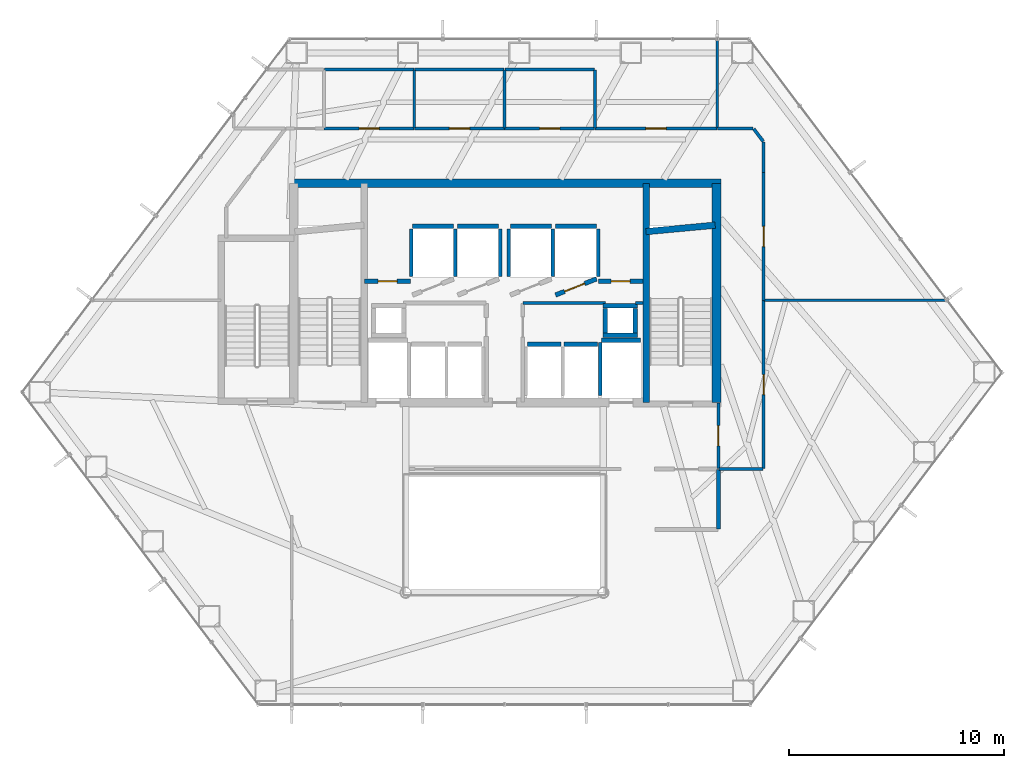
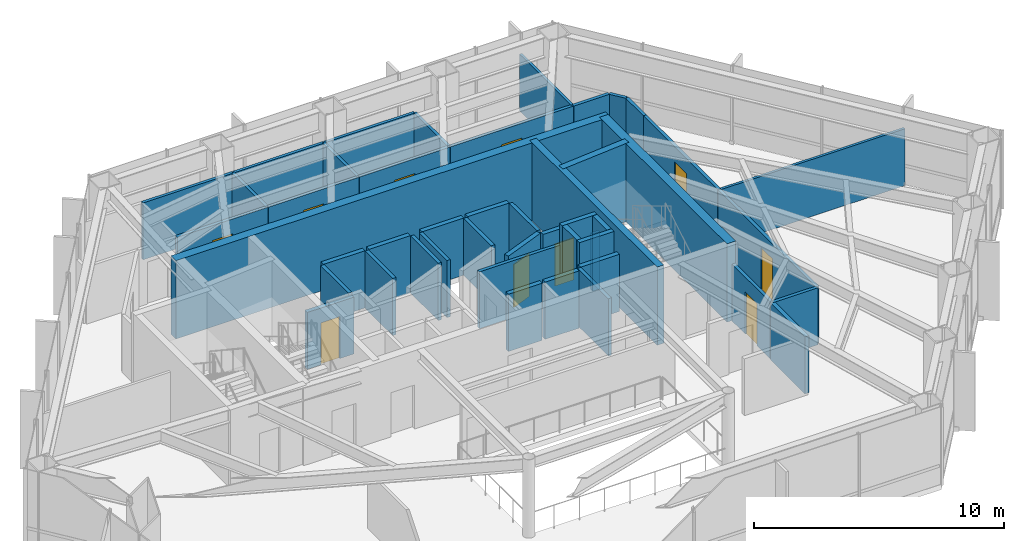
# One storey, part 24 of 26: 47 walls, 10 doors, 10 openings.
"""IFC4 building model written with IfcOpenShell, lengths in metres."""

from ifc_helpers import new_model, si_unit, direction, frame, frame_2d, origin, place, context, subcontext, project, spatial, rectangle, extrude, material, layer, layer_set, type_object, element, fill, save


model = new_model("IFC4")

# Units and contexts
model_context = context("Model", 3, precision=1e-05, world=origin(), true_north=direction((0.0, 1.0)))
body_context = subcontext(model_context, "Body", "Model", "MODEL_VIEW")
ifc_project = project(units=[si_unit("LENGTHUNIT", "METRE"), si_unit("AREAUNIT", "SQUARE_METRE"), si_unit("VOLUMEUNIT", "CUBIC_METRE"), si_unit("PLANEANGLEUNIT", "RADIAN"), si_unit("MASSUNIT", "GRAM", prefix="KILO")], contexts=[model_context])

# Site, building, storey
site_placement = place(None, origin())
site = spatial("IfcSite", under=ifc_project, at=site_placement, CompositionType="ELEMENT")
building_placement = place(site_placement, origin())
building = spatial("IfcBuilding", under=site, at=building_placement, Name="Zarrinselat Tower", CompositionType="ELEMENT")
storey_placement = place(building_placement, frame((0.0, 0.0, 31.6201171875)))
storey = spatial("IfcBuildingStorey", under=building, at=storey_placement, Name="L07", CompositionType="ELEMENT", Elevation=31.6201171875)

# Walls
ifc_material_1 = material(Name="Concrete C40/50", Category="concrete")
ifc_layer_1 = layer(ifc_material_1, 0.18994140625)
ifc_layer_set_1 = layer_set([ifc_layer_1], Name="Concrete C40/50")
wall_type_1 = type_object("IfcWallType", Name="WAL-PART-EI120", PredefinedType="PARTITIONING", material=ifc_layer_set_1)
wall_1_placement = place(storey_placement, frame((48.35009765625, 27.3701171875, 0.0), z_axis=(0.0, 0.0, 1.0), x_axis=(0.0, 1.0, 0.0)))
element("IfcWall", 1, at=wall_1_placement, inside=storey, type_object=wall_type_1, Name="L07 Partition Wall 12", PredefinedType="PARTITIONING", context=body_context, shape_type="SweptSolid", body=[
    extrude(rectangle(XDim=2.759765625, YDim=0.18994140625, at=frame_2d((1.3798828125, 0.0))), origin(), (0.0, 0.0, 1.0), 2.77685546875),
])
ifc_material_2 = material(Name="Fire-Rated Gypsum Board Partition", Category="gypsum")
ifc_layer_2 = layer(ifc_material_2, 0.14990234375)
ifc_layer_set_2 = layer_set([ifc_layer_2], Name="Fire-Rated Gypsum Board Partition")
wall_type_2 = type_object("IfcWallType", Name="WAL-PART-EI60", PredefinedType="PARTITIONING", material=ifc_layer_set_2)
wall_2_placement = place(storey_placement, frame((39.27001953125, 37.8798828125, 0.0), z_axis=(0.0, 0.0, 1.0), x_axis=(1.0, 0.0, 0.0)))
element("IfcWall", 2, at=wall_2_placement, inside=storey, type_object=wall_type_2, Name="L07 Partition Wall 5", PredefinedType="PARTITIONING", context=body_context, shape_type="SweptSolid", body=[
    extrude(rectangle(XDim=3.824951171875, YDim=0.14990234375, at=frame_2d((1.91259765625, 0.0))), origin(), (0.0, 0.0, 1.0), 2.77685546875),
])
wall_3_placement = place(storey_placement, frame((44.485107421875, 37.8798828125, 0.0), z_axis=(0.0, 0.0, 1.0), x_axis=(1.0, 0.0, 0.0)))
element("IfcWall", 3, at=wall_3_placement, inside=storey, type_object=wall_type_2, Name="L07 Partition Wall 6", PredefinedType="PARTITIONING", context=body_context, shape_type="SweptSolid", body=[
    extrude(rectangle(XDim=0.349853515625, YDim=0.14990234375, at=frame_2d((0.1748046875, 0.0))), origin(), (0.0, 0.0, 1.0), 2.77685546875),
])

# Wall, opening, door
wall_4_placement = place(storey_placement, frame((48.35009765625, 30.169921875, 0.0), z_axis=(0.0, 0.0, 1.0), x_axis=(0.0, 1.0, 0.0)))
wall_4 = element("IfcWall", 4, at=wall_4_placement, inside=storey, type_object=wall_type_2, Name="L07 Partition Wall 9", PredefinedType="PARTITIONING", context=body_context, shape_type="SweptSolid", body=[
    extrude(rectangle(XDim=3.06005859375, YDim=0.14990234375, at=frame_2d((1.530029296875, 0.0))), origin(), (0.0, 0.0, 1.0), 2.77685546875),
])
opening_1_placement = place(wall_4_placement, frame((1.06005859375, 0.0, 0.0)))
opening_1 = element("IfcOpeningElement", 5, at=opening_1_placement, cuts=wall_4, Name="Opening ID-04", PredefinedType="OPENING", context=body_context, shape_type="SweptSolid", body=[
    extrude(rectangle(XDim=0.93994140625, YDim=2.050048828125, at=frame_2d((0.469970703125, 1.02490234375))), frame((0.0, 0.0849609375, 0.0), z_axis=(0.0, -1.0, 0.0), x_axis=(1.0, 0.0, 0.0)), (0.0, 0.0, 1.0), 0.169921875),
])
ifc_material_3 = material(Name="Fire-Rated Gypsum Board Partition")
door_type_1 = type_object("IfcDoorType", Name="DR-INT-FD30-ENT", OperationType="NOTDEFINED", PredefinedType="DOOR", material=ifc_material_3)
door_1_placement = place(opening_1_placement, origin())
door_1 = element("IfcDoor", 6, at=door_1_placement, inside=storey, type_object=door_type_1, Name="L07 Interior Door P9", OperationType="SINGLE_SWING_RIGHT", OverallHeight=2.050048828125, OverallWidth=0.93994140625, PredefinedType="DOOR", context=body_context, shape_type="SweptSolid", body=[
    extrude(rectangle(XDim=0.93994140625, YDim=2.050048828125, at=frame_2d((0.469970703125, 1.02490234375))), frame((0.0, 0.02490234375, 0.0), z_axis=(0.0, -1.0, 0.0), x_axis=(1.0, 0.0, 0.0)), (0.0, 0.0, 1.0), 0.050048828125),
])
fill(opening_1, door_1)

wall_5_placement = place(storey_placement, frame((30.0048828125, 46.0, 0.0), z_axis=(0.0, 0.0, 1.0), x_axis=(1.0, 0.0, 0.0)))
wall_5 = element("IfcWall", 7, at=wall_5_placement, inside=storey, type_object=wall_type_2, Name="L07 Partition Wall 14", PredefinedType="PARTITIONING", context=body_context, shape_type="SweptSolid", body=[
    extrude(rectangle(XDim=4.190185546875, YDim=0.14990234375, at=frame_2d((2.09521484375, 0.0))), origin(), (0.0, 0.0, 1.0), 2.77685546875),
])
opening_2_placement = place(wall_5_placement, frame((1.625, 0.0, 0.0)))
opening_2 = element("IfcOpeningElement", 8, at=opening_2_placement, cuts=wall_5, Name="Opening ID-04", PredefinedType="OPENING", context=body_context, shape_type="SweptSolid", body=[
    extrude(rectangle(XDim=0.93994140625, YDim=2.050048828125, at=frame_2d((0.469970703125, 1.02490234375))), frame((0.0, 0.0849609375, 0.0), z_axis=(0.0, -1.0, 0.0), x_axis=(1.0, 0.0, 0.0)), (0.0, 0.0, 1.0), 0.169921875),
])
door_2_placement = place(opening_2_placement, origin())
door_2 = element("IfcDoor", 9, at=door_2_placement, inside=storey, type_object=door_type_1, Name="L07 Interior Door P14", OperationType="SINGLE_SWING_LEFT", OverallHeight=2.050048828125, OverallWidth=0.93994140625, PredefinedType="DOOR", context=body_context, shape_type="SweptSolid", body=[
    extrude(rectangle(XDim=0.93994140625, YDim=2.050048828125, at=frame_2d((0.469970703125, 1.02490234375))), frame((0.0, 0.02490234375, 0.0), z_axis=(0.0, -1.0, 0.0), x_axis=(1.0, 0.0, 0.0)), (0.0, 0.0, 1.0), 0.050048828125),
])
fill(opening_2, door_2)

wall_6_placement = place(storey_placement, frame((34.205078125, 46.0, 0.0), z_axis=(0.0, 0.0, 1.0), x_axis=(1.0, 0.0, 0.0)))
wall_6 = element("IfcWall", 10, at=wall_6_placement, inside=storey, type_object=wall_type_2, Name="L07 Partition Wall 15", PredefinedType="PARTITIONING", context=body_context, shape_type="SweptSolid", body=[
    extrude(rectangle(XDim=4.18994140625, YDim=0.14990234375, at=frame_2d((2.094970703125, 0.0))), origin(), (0.0, 0.0, 1.0), 2.77685546875),
])
opening_3_placement = place(wall_6_placement, frame((1.625, 0.0, 0.0)))
opening_3 = element("IfcOpeningElement", 11, at=opening_3_placement, cuts=wall_6, Name="Opening ID-04", PredefinedType="OPENING", context=body_context, shape_type="SweptSolid", body=[
    extrude(rectangle(XDim=0.93994140625, YDim=2.050048828125, at=frame_2d((0.469970703125, 1.02490234375))), frame((0.0, 0.0849609375, 0.0), z_axis=(0.0, -1.0, 0.0), x_axis=(1.0, 0.0, 0.0)), (0.0, 0.0, 1.0), 0.169921875),
])
door_3_placement = place(opening_3_placement, origin())
door_3 = element("IfcDoor", 12, at=door_3_placement, inside=storey, type_object=door_type_1, Name="L07 Interior Door P15", OperationType="SINGLE_SWING_RIGHT", OverallHeight=2.050048828125, OverallWidth=0.93994140625, PredefinedType="DOOR", context=body_context, shape_type="SweptSolid", body=[
    extrude(rectangle(XDim=0.93994140625, YDim=2.050048828125, at=frame_2d((0.469970703125, 1.02490234375))), frame((0.0, 0.02490234375, 0.0), z_axis=(0.0, -1.0, 0.0), x_axis=(1.0, 0.0, 0.0)), (0.0, 0.0, 1.0), 0.050048828125),
])
fill(opening_3, door_3)

wall_7_placement = place(storey_placement, frame((38.405029296875, 46.0, 0.0), z_axis=(0.0, 0.0, 1.0), x_axis=(1.0, 0.0, 0.0)))
wall_7 = element("IfcWall", 13, at=wall_7_placement, inside=storey, type_object=wall_type_2, Name="L07 Partition Wall 16", PredefinedType="PARTITIONING", context=body_context, shape_type="SweptSolid", body=[
    extrude(rectangle(XDim=4.18994140625, YDim=0.14990234375, at=frame_2d((2.094970703125, 0.0))), origin(), (0.0, 0.0, 1.0), 2.77685546875),
])
opening_4_placement = place(wall_7_placement, frame((1.625, 0.0, 0.0)))
opening_4 = element("IfcOpeningElement", 14, at=opening_4_placement, cuts=wall_7, Name="Opening ID-04", PredefinedType="OPENING", context=body_context, shape_type="SweptSolid", body=[
    extrude(rectangle(XDim=0.93994140625, YDim=2.050048828125, at=frame_2d((0.469970703125, 1.02490234375))), frame((0.0, 0.0849609375, 0.0), z_axis=(0.0, -1.0, 0.0), x_axis=(1.0, 0.0, 0.0)), (0.0, 0.0, 1.0), 0.169921875),
])
door_4_placement = place(opening_4_placement, origin())
door_4 = element("IfcDoor", 15, at=door_4_placement, inside=storey, type_object=door_type_1, Name="L07 Interior Door P16", OperationType="SINGLE_SWING_LEFT", OverallHeight=2.050048828125, OverallWidth=0.93994140625, PredefinedType="DOOR", context=body_context, shape_type="SweptSolid", body=[
    extrude(rectangle(XDim=0.93994140625, YDim=2.050048828125, at=frame_2d((0.469970703125, 1.02490234375))), frame((0.0, 0.02490234375, 0.0), z_axis=(0.0, -1.0, 0.0), x_axis=(1.0, 0.0, 0.0)), (0.0, 0.0, 1.0), 0.050048828125),
])
fill(opening_4, door_4)

wall_8_placement = place(storey_placement, frame((50.449951171875, 30.169921875, 0.0), z_axis=(0.0, 0.0, 1.0), x_axis=(0.0, 1.0, 0.0)))
wall_8 = element("IfcWall", 16, at=wall_8_placement, inside=storey, type_object=wall_type_2, Name="L07 Partition Wall 17", PredefinedType="PARTITIONING", context=body_context, shape_type="SweptSolid", body=[
    extrude(rectangle(XDim=7.8251953125, YDim=0.14990234375, at=frame_2d((3.91259765625, 0.0))), origin(), (0.0, 0.0, 1.0), 2.77685546875),
])
opening_5_placement = place(wall_8_placement, frame((3.4423828125, 0.0, 0.0)))
opening_5 = element("IfcOpeningElement", 17, at=opening_5_placement, cuts=wall_8, Name="Opening ID-04", PredefinedType="OPENING", context=body_context, shape_type="SweptSolid", body=[
    extrude(rectangle(XDim=0.93994140625, YDim=2.050048828125, at=frame_2d((0.469970703125, 1.02490234375))), frame((0.0, 0.0849609375, 0.0), z_axis=(0.0, -1.0, 0.0), x_axis=(1.0, 0.0, 0.0)), (0.0, 0.0, 1.0), 0.169921875),
])
door_5_placement = place(opening_5_placement, origin())
door_5 = element("IfcDoor", 18, at=door_5_placement, inside=storey, type_object=door_type_1, Name="L07 Interior Door P17", OperationType="SINGLE_SWING_RIGHT", OverallHeight=2.050048828125, OverallWidth=0.93994140625, PredefinedType="DOOR", context=body_context, shape_type="SweptSolid", body=[
    extrude(rectangle(XDim=0.93994140625, YDim=2.050048828125, at=frame_2d((0.469970703125, 1.02490234375))), frame((0.0, 0.02490234375, 0.0), z_axis=(0.0, -1.0, 0.0), x_axis=(1.0, 0.0, 0.0)), (0.0, 0.0, 1.0), 0.050048828125),
])
fill(opening_5, door_5)

# Walls
wall_9_placement = place(storey_placement, frame((48.3701171875, 30.14990234375, 0.0), z_axis=(0.0, 0.0, 1.0), x_axis=(1.0, 0.0, 0.0)))
element("IfcWall", 19, at=wall_9_placement, inside=storey, type_object=wall_type_2, Name="L07 Partition Wall 18", PredefinedType="PARTITIONING", context=body_context, shape_type="SweptSolid", body=[
    extrude(rectangle(XDim=2.059814453125, YDim=0.14990234375, at=frame_2d((1.02978515625, 0.0))), origin(), (0.0, 0.0, 1.0), 2.77685546875),
])
wall_10_placement = place(storey_placement, frame((48.31494140625, 46.0, 0.0), z_axis=(0.0, 0.0, 1.0), x_axis=(1.0, 0.0, 0.0)))
element("IfcWall", 20, at=wall_10_placement, inside=storey, type_object=wall_type_2, Name="L07 Partition Wall 21", PredefinedType="PARTITIONING", context=body_context, shape_type="SweptSolid", body=[
    extrude(rectangle(XDim=1.64599609375, YDim=0.14990234375, at=frame_2d((0.822998046875, 0.0))), origin(), (0.0, 0.0, 1.0), 2.77685546875),
])
wall_11_placement = place(storey_placement, frame((49.9931640625, 45.984130859375, 0.0), z_axis=(0.0, 0.0, 1.0), x_axis=(0.603704571474, -0.797208122375, 0.0)))
element("IfcWall", 21, at=wall_11_placement, inside=storey, type_object=wall_type_2, Name="L07 Partition Wall 22", PredefinedType="PARTITIONING", context=body_context, shape_type="SweptSolid", body=[
    extrude(rectangle(XDim=0.73681640625, YDim=0.14990234375, at=frame_2d((0.368408203125, 0.0))), origin(), (0.0, 0.0, 1.0), 2.77685546875),
])
wall_12_placement = place(storey_placement, frame((50.449951171875, 43.949951171875, 0.0), z_axis=(0.0, 0.0, 1.0), x_axis=(0.0, 1.0, 0.0)))
element("IfcWall", 22, at=wall_12_placement, inside=storey, type_object=wall_type_2, Name="L07 Partition Wall 23", PredefinedType="PARTITIONING", context=body_context, shape_type="SweptSolid", body=[
    extrude(rectangle(XDim=1.410888671875, YDim=0.14990234375, at=frame_2d((0.70556640625, 0.0))), origin(), (0.0, 0.0, 1.0), 2.77685546875),
])

# Wall, opening, door
wall_13_placement = place(storey_placement, frame((50.449951171875, 38.0048828125, 0.0), z_axis=(0.0, 0.0, 1.0), x_axis=(0.0, 1.0, 0.0)))
wall_13 = element("IfcWall", 23, at=wall_13_placement, inside=storey, type_object=wall_type_2, Name="L07 Partition Wall 24", PredefinedType="PARTITIONING", context=body_context, shape_type="SweptSolid", body=[
    extrude(rectangle(XDim=5.945068359375, YDim=0.14990234375, at=frame_2d((2.97265625, 0.0))), origin(), (0.0, 0.0, 1.0), 2.77685546875),
])
opening_6_placement = place(wall_13_placement, frame((2.50244140625, 0.0, 0.0)))
opening_6 = element("IfcOpeningElement", 24, at=opening_6_placement, cuts=wall_13, Name="Opening ID-04", PredefinedType="OPENING", context=body_context, shape_type="SweptSolid", body=[
    extrude(rectangle(XDim=0.93994140625, YDim=2.050048828125, at=frame_2d((0.469970703125, 1.02490234375))), frame((0.0, 0.0849609375, 0.0), z_axis=(0.0, -1.0, 0.0), x_axis=(1.0, 0.0, 0.0)), (0.0, 0.0, 1.0), 0.169921875),
])
door_6_placement = place(opening_6_placement, origin())
door_6 = element("IfcDoor", 25, at=door_6_placement, inside=storey, type_object=door_type_1, Name="L07 Interior Door P24", OperationType="SINGLE_SWING_RIGHT", OverallHeight=2.050048828125, OverallWidth=0.93994140625, PredefinedType="DOOR", context=body_context, shape_type="SweptSolid", body=[
    extrude(rectangle(XDim=0.93994140625, YDim=2.050048828125, at=frame_2d((0.469970703125, 1.02490234375))), frame((0.0, 0.02490234375, 0.0), z_axis=(0.0, -1.0, 0.0), x_axis=(1.0, 0.0, 0.0)), (0.0, 0.0, 1.0), 0.050048828125),
])
fill(opening_6, door_6)

wall_14_placement = place(storey_placement, frame((42.60498046875, 46.0, 0.0), z_axis=(0.0, 0.0, 1.0), x_axis=(1.0, 0.0, 0.0)))
wall_14 = element("IfcWall", 26, at=wall_14_placement, inside=storey, type_object=wall_type_2, Name="L07 Partition Wall 25", PredefinedType="PARTITIONING", context=body_context, shape_type="SweptSolid", body=[
    extrude(rectangle(XDim=5.68994140625, YDim=0.14990234375, at=frame_2d((2.844970703125, 0.0))), origin(), (0.0, 0.0, 1.0), 2.77685546875),
])
opening_7_placement = place(wall_14_placement, frame((2.375, 0.0, 0.0)))
opening_7 = element("IfcOpeningElement", 27, at=opening_7_placement, cuts=wall_14, Name="Opening ID-04", PredefinedType="OPENING", context=body_context, shape_type="SweptSolid", body=[
    extrude(rectangle(XDim=0.93994140625, YDim=2.050048828125, at=frame_2d((0.469970703125, 1.02490234375))), frame((0.0, 0.0849609375, 0.0), z_axis=(0.0, -1.0, 0.0), x_axis=(1.0, 0.0, 0.0)), (0.0, 0.0, 1.0), 0.169921875),
])
door_7_placement = place(opening_7_placement, origin())
door_7 = element("IfcDoor", 28, at=door_7_placement, inside=storey, type_object=door_type_1, Name="L07 Interior Door P25", OperationType="SINGLE_SWING_LEFT", OverallHeight=2.050048828125, OverallWidth=0.93994140625, PredefinedType="DOOR", context=body_context, shape_type="SweptSolid", body=[
    extrude(rectangle(XDim=0.93994140625, YDim=2.050048828125, at=frame_2d((0.469970703125, 1.02490234375))), frame((0.0, 0.02490234375, 0.0), z_axis=(0.0, -1.0, 0.0), x_axis=(1.0, 0.0, 0.0)), (0.0, 0.0, 1.0), 0.050048828125),
])
fill(opening_7, door_7)

ifc_material_4 = material(Name="Concrete C40/50", Category="concrete")
ifc_layer_3 = layer(ifc_material_4, 0.199951171875)
ifc_layer_set_3 = layer_set([ifc_layer_3], Name="Concrete C40/50")
wall_type_3 = type_object("IfcWallType", Name="WAL-PART-PLANT", PredefinedType="PARTITIONING", material=ifc_layer_set_3)
wall_15_placement = place(storey_placement, frame((31.885009765625, 38.889892578125, 0.0), z_axis=(0.0, 0.0, 1.0), x_axis=(1.0, 0.0, 0.0)))
wall_15 = element("IfcWall", 29, at=wall_15_placement, inside=storey, type_object=wall_type_3, Name="L07 Partition Wall 3", PredefinedType="PARTITIONING", context=body_context, shape_type="SweptSolid", body=[
    extrude(rectangle(XDim=2.14990234375, YDim=0.199951171875, at=frame_2d((1.074951171875, 0.0))), origin(), (0.0, 0.0, 1.0), 2.77685546875),
])
opening_8_placement = place(wall_15_placement, frame((0.635009765625, 0.0, 0.0)))
opening_8 = element("IfcOpeningElement", 30, at=opening_8_placement, cuts=wall_15, Name="Opening ID-03", PredefinedType="OPENING", context=body_context, shape_type="SweptSolid", body=[
    extrude(rectangle(XDim=0.8798828125, YDim=2.050048828125, at=frame_2d((0.43994140625, 1.02490234375))), frame((0.0, 0.10986328125, 0.0), z_axis=(0.0, -1.0, 0.0), x_axis=(1.0, 0.0, 0.0)), (0.0, 0.0, 1.0), 0.219970703125),
])
ifc_material_5 = material(Name="Steel S355J2", Category="steel")
door_type_2 = type_object("IfcDoorType", Name="DR-INT-FD60-S", OperationType="NOTDEFINED", PredefinedType="DOOR", material=ifc_material_5)
door_8_placement = place(opening_8_placement, origin())
door_8 = element("IfcDoor", 31, at=door_8_placement, inside=storey, type_object=door_type_2, Name="L07 Interior Door P3", OperationType="SINGLE_SWING_RIGHT", OverallHeight=2.050048828125, OverallWidth=0.8798828125, PredefinedType="DOOR", context=body_context, shape_type="SweptSolid", body=[
    extrude(rectangle(XDim=0.8798828125, YDim=2.050048828125, at=frame_2d((0.43994140625, 1.02490234375))), frame((0.0, 0.02490234375, 0.0), z_axis=(0.0, -1.0, 0.0), x_axis=(1.0, 0.0, 0.0)), (0.0, 0.0, 1.0), 0.050048828125),
])
fill(opening_8, door_8)

wall_16_placement = place(storey_placement, frame((42.764892578125, 38.889892578125, 0.0), z_axis=(0.0, 0.0, 1.0), x_axis=(1.0, 0.0, 0.0)))
wall_16 = element("IfcWall", 32, at=wall_16_placement, inside=storey, type_object=wall_type_3, Name="L07 Partition Wall 4", PredefinedType="PARTITIONING", context=body_context, shape_type="SweptSolid", body=[
    extrude(rectangle(XDim=2.070068359375, YDim=0.199951171875, at=frame_2d((1.03515625, 0.0))), origin(), (0.0, 0.0, 1.0), 2.77685546875),
])
opening_9_placement = place(wall_16_placement, frame((0.594970703125, 0.0, 0.0)))
opening_9 = element("IfcOpeningElement", 33, at=opening_9_placement, cuts=wall_16, Name="Opening ID-03", PredefinedType="OPENING", context=body_context, shape_type="SweptSolid", body=[
    extrude(rectangle(XDim=0.8798828125, YDim=2.050048828125, at=frame_2d((0.43994140625, 1.02490234375))), frame((0.0, 0.10986328125, 0.0), z_axis=(0.0, -1.0, 0.0), x_axis=(1.0, 0.0, 0.0)), (0.0, 0.0, 1.0), 0.219970703125),
])
door_9_placement = place(opening_9_placement, origin())
door_9 = element("IfcDoor", 34, at=door_9_placement, inside=storey, type_object=door_type_2, Name="L07 Interior Door P4", OperationType="SINGLE_SWING_LEFT", OverallHeight=2.050048828125, OverallWidth=0.8798828125, PredefinedType="DOOR", context=body_context, shape_type="SweptSolid", body=[
    extrude(rectangle(XDim=0.8798828125, YDim=2.050048828125, at=frame_2d((0.43994140625, 1.02490234375))), frame((0.0, 0.02490234375, 0.0), z_axis=(0.0, -1.0, 0.0), x_axis=(1.0, 0.0, 0.0)), (0.0, 0.0, 1.0), 0.050048828125),
])
fill(opening_9, door_9)

# Walls
ifc_material_6 = material(Name="Fire-Rated Gypsum Board Partition", Category="gypsum")
ifc_layer_4 = layer(ifc_material_6, 0.1201171875)
ifc_layer_set_4 = layer_set([ifc_layer_4], Name="Fire-Rated Gypsum Board Partition")
wall_type_4 = type_object("IfcWallType", Name="WAL-PART-STD", PredefinedType="PARTITIONING", material=ifc_layer_set_4)
wall_17_placement = place(storey_placement, frame((50.469970703125, 38.0, 0.0), z_axis=(0.0, 0.0, 1.0), x_axis=(1.0, 0.0, 0.0)))
element("IfcWall", 35, at=wall_17_placement, inside=storey, type_object=wall_type_4, Name="L07 Partition Wall 38", PredefinedType="PARTITIONING", context=body_context, shape_type="SweptSolid", body=[
    extrude(rectangle(XDim=8.517333984375, YDim=0.1201171875, at=frame_2d((4.2587890625, 0.0))), origin(), (0.0, 0.0, 1.0), 2.77685546875),
])
wall_18_placement = place(storey_placement, frame((48.300048828125, 46.02001953125, 0.0), z_axis=(0.0, 0.0, 1.0), x_axis=(0.0, 1.0, 0.0)))
element("IfcWall", 36, at=wall_18_placement, inside=storey, type_object=wall_type_4, Name="L07 Partition Wall 39", PredefinedType="PARTITIONING", context=body_context, shape_type="SweptSolid", body=[
    extrude(rectangle(XDim=4.1259765625, YDim=0.1201171875, at=frame_2d((2.06298828125, 0.0))), origin(), (0.0, 0.0, 1.0), 2.77685546875),
])
ifc_material_7 = material(Name="Fire-Rated Gypsum Board Partition", Category="gypsum")
ifc_layer_5 = layer(ifc_material_7, 0.135009765625)
ifc_layer_set_5 = layer_set([ifc_layer_5], Name="Fire-Rated Gypsum Board Partition")
wall_type_5 = type_object("IfcWallType", Name="WAL-PART-WET", PredefinedType="PARTITIONING", material=ifc_layer_set_5)
wall_19_placement = place(storey_placement, frame((34.199951171875, 46.02001953125, 0.0), z_axis=(0.0, 0.0, 1.0), x_axis=(0.0, 1.0, 0.0)))
element("IfcWall", 37, at=wall_19_placement, inside=storey, type_object=wall_type_5, Name="L07 Partition Wall 30", PredefinedType="PARTITIONING", context=body_context, shape_type="SweptSolid", body=[
    extrude(rectangle(XDim=2.7099609375, YDim=0.135009765625, at=frame_2d((1.35498046875, 0.0))), origin(), (0.0, 0.0, 1.0), 2.77685546875),
])
wall_20_placement = place(storey_placement, frame((30.02001953125, 48.75, 0.0), z_axis=(0.0, 0.0, 1.0), x_axis=(1.0, 0.0, 0.0)))
element("IfcWall", 38, at=wall_20_placement, inside=storey, type_object=wall_type_5, Name="L07 Partition Wall 31", PredefinedType="PARTITIONING", context=body_context, shape_type="SweptSolid", body=[
    extrude(rectangle(XDim=4.159912109375, YDim=0.135009765625, at=frame_2d((2.080078125, 0.0))), origin(), (0.0, 0.0, 1.0), 2.77685546875),
])
wall_21_placement = place(storey_placement, frame((38.39990234375, 46.02001953125, 0.0), z_axis=(0.0, 0.0, 1.0), x_axis=(0.0, 1.0, 0.0)))
element("IfcWall", 39, at=wall_21_placement, inside=storey, type_object=wall_type_5, Name="L07 Partition Wall 32", PredefinedType="PARTITIONING", context=body_context, shape_type="SweptSolid", body=[
    extrude(rectangle(XDim=2.7099609375, YDim=0.135009765625, at=frame_2d((1.35498046875, 0.0))), origin(), (0.0, 0.0, 1.0), 2.77685546875),
])
wall_22_placement = place(storey_placement, frame((34.219970703125, 48.75, 0.0), z_axis=(0.0, 0.0, 1.0), x_axis=(1.0, 0.0, 0.0)))
element("IfcWall", 40, at=wall_22_placement, inside=storey, type_object=wall_type_5, Name="L07 Partition Wall 33", PredefinedType="PARTITIONING", context=body_context, shape_type="SweptSolid", body=[
    extrude(rectangle(XDim=4.159912109375, YDim=0.135009765625, at=frame_2d((2.080078125, 0.0))), origin(), (0.0, 0.0, 1.0), 2.77685546875),
])
wall_23_placement = place(storey_placement, frame((38.419921875, 48.75, 0.0), z_axis=(0.0, 0.0, 1.0), x_axis=(1.0, 0.0, 0.0)))
element("IfcWall", 41, at=wall_23_placement, inside=storey, type_object=wall_type_5, Name="L07 Partition Wall 34", PredefinedType="PARTITIONING", context=body_context, shape_type="SweptSolid", body=[
    extrude(rectangle(XDim=4.16015625, YDim=0.135009765625, at=frame_2d((2.080078125, 0.0))), origin(), (0.0, 0.0, 1.0), 2.77685546875),
])
wall_24_placement = place(storey_placement, frame((42.60009765625, 46.02001953125, 0.0), z_axis=(0.0, 0.0, 1.0), x_axis=(0.0, 1.0, 0.0)))
element("IfcWall", 42, at=wall_24_placement, inside=storey, type_object=wall_type_5, Name="L07 Partition Wall 35", PredefinedType="PARTITIONING", context=body_context, shape_type="SweptSolid", body=[
    extrude(rectangle(XDim=2.7099609375, YDim=0.135009765625, at=frame_2d((1.35498046875, 0.0))), origin(), (0.0, 0.0, 1.0), 2.77685546875),
])
ifc_material_8 = material(Name="Concrete C40/50", Category="concrete")
ifc_layer_6 = layer(ifc_material_8, 0.2099609375)
ifc_layer_set_6 = layer_set([ifc_layer_6], Name="Concrete C40/50")
wall_type_6 = type_object("IfcWallType", Name="WAL-SHAFT-210", PredefinedType="SOLIDWALL", material=ifc_layer_set_6)
wall_25_placement = place(storey_placement, frame((42.919921875, 36.155029296875, 0.0), z_axis=(0.0, 0.0, 1.0), x_axis=(1.0, 0.0, 0.0)))
element("IfcWall", 43, at=wall_25_placement, inside=storey, type_object=wall_type_6, Name="L07 Lift FFL2 North Shaft Wall", PredefinedType="SOLIDWALL", context=body_context, shape_type="SweptSolid", body=[
    extrude(rectangle(XDim=1.800048828125, YDim=0.2099609375, at=frame_2d((0.89990234375, 0.0))), origin(), (0.0, 0.0, 1.0), 2.7919921875),
])
wall_26_placement = place(storey_placement, frame((42.85009765625, 33.580078125, 0.0), z_axis=(0.0, 0.0, 1.0), x_axis=(0.0, 1.0, 0.0)))
element("IfcWall", 44, at=wall_26_placement, inside=storey, type_object=wall_type_6, Name="L07 Lift FFL2 W Shaft Wall", PredefinedType="SOLIDWALL", context=body_context, shape_type="SweptSolid", body=[
    extrude(rectangle(XDim=2.449951171875, YDim=0.159912109375, at=frame_2d((1.22509765625, 0.0))), origin(), (0.0, 0.0, 1.0), 2.7919921875),
])
wall_27_placement = place(storey_placement, frame((34.1201171875, 41.455078125, 0.0), z_axis=(0.0, 0.0, 1.0), x_axis=(1.0, 0.0, 0.0)))
element("IfcWall", 45, at=wall_27_placement, inside=storey, type_object=wall_type_6, Name="L07 Lift PL1 Rear Shaft Wall", PredefinedType="SOLIDWALL", context=body_context, shape_type="SweptSolid", body=[
    extrude(rectangle(XDim=1.909912109375, YDim=0.2099609375, at=frame_2d((0.955078125, 0.0))), origin(), (0.0, 0.0, 1.0), 2.7919921875),
])
for number, where, z_axis, x_axis, name in (
    (46, (34.050048828125, 39.1201171875, 0.0), (0.0, 0.0, 1.0), (0.0, 1.0, 0.0), "L07 Lift PL1 W Shaft Wall"),
    (47, (36.10009765625, 39.1201171875, 0.0), (0.0, 0.0, 1.0), (0.0, 1.0, 0.0), "L07 Lift PL1 E Shaft Wall"),
):
    element("IfcWall", number, at=place(storey_placement, frame(where, z_axis=z_axis, x_axis=x_axis)), inside=storey, type_object=wall_type_6, Name=name, PredefinedType="SOLIDWALL", context=body_context, shape_type="SweptSolid", body=[
        extrude(rectangle(XDim=2.2099609375, YDim=0.159912109375, at=frame_2d((1.10498046875, 0.0))), origin(), (0.0, 0.0, 1.0), 2.7919921875),
    ])
wall_28_placement = place(storey_placement, frame((36.219970703125, 41.455078125, 0.0), z_axis=(0.0, 0.0, 1.0), x_axis=(1.0, 0.0, 0.0)))
element("IfcWall", 48, at=wall_28_placement, inside=storey, type_object=wall_type_6, Name="L07 Lift PL2 Rear Shaft Wall", PredefinedType="SOLIDWALL", context=body_context, shape_type="SweptSolid", body=[
    extrude(rectangle(XDim=1.909912109375, YDim=0.2099609375, at=frame_2d((0.955078125, 0.0))), origin(), (0.0, 0.0, 1.0), 2.7919921875),
])
wall_29_placement = place(storey_placement, frame((38.199951171875, 39.1201171875, 0.0), z_axis=(0.0, 0.0, 1.0), x_axis=(0.0, 1.0, 0.0)))
element("IfcWall", 49, at=wall_29_placement, inside=storey, type_object=wall_type_6, Name="L07 Lift PL2 E Shaft Wall", PredefinedType="SOLIDWALL", context=body_context, shape_type="SweptSolid", body=[
    extrude(rectangle(XDim=2.2099609375, YDim=0.159912109375, at=frame_2d((1.10498046875, 0.0))), origin(), (0.0, 0.0, 1.0), 2.7919921875),
])
wall_30_placement = place(storey_placement, frame((38.669921875, 41.455078125, 0.0), z_axis=(0.0, 0.0, 1.0), x_axis=(1.0, 0.0, 0.0)))
element("IfcWall", 50, at=wall_30_placement, inside=storey, type_object=wall_type_6, Name="L07 Lift PL3 Rear Shaft Wall", PredefinedType="SOLIDWALL", context=body_context, shape_type="SweptSolid", body=[
    extrude(rectangle(XDim=1.91015625, YDim=0.2099609375, at=frame_2d((0.955078125, 0.0))), origin(), (0.0, 0.0, 1.0), 2.7919921875),
])
for number, where, z_axis, x_axis, name in (
    (51, (38.60009765625, 39.1201171875, 0.0), (0.0, 0.0, 1.0), (0.0, 1.0, 0.0), "L07 Lift PL3 W Shaft Wall"),
    (52, (40.64990234375, 39.1201171875, 0.0), (0.0, 0.0, 1.0), (0.0, 1.0, 0.0), "L07 Lift PL3 E Shaft Wall"),
):
    element("IfcWall", number, at=place(storey_placement, frame(where, z_axis=z_axis, x_axis=x_axis)), inside=storey, type_object=wall_type_6, Name=name, PredefinedType="SOLIDWALL", context=body_context, shape_type="SweptSolid", body=[
        extrude(rectangle(XDim=2.2099609375, YDim=0.159912109375, at=frame_2d((1.10498046875, 0.0))), origin(), (0.0, 0.0, 1.0), 2.7919921875),
    ])

# Wall, opening, door
wall_31_placement = place(storey_placement, frame((40.77001953125, 38.25, 0.0), z_axis=(0.0, 0.0, 1.0), x_axis=(0.930804993012, 0.36551616241, 0.0)))
wall_31 = element("IfcWall", 53, at=wall_31_placement, inside=storey, type_object=wall_type_6, Name="L07 Lift PL4 Front Shaft Wall", PredefinedType="SOLIDWALL", context=body_context, shape_type="SweptSolid", body=[
    extrude(rectangle(XDim=2.052001953125, YDim=0.2099609375, at=frame_2d((1.02587890625, 0.0))), origin(), (0.0, 0.0, 1.0), 2.7919921875),
])
opening_10_placement = place(wall_31_placement, frame((0.455078125, 0.0, 0.0)))
opening_10 = element("IfcOpeningElement", 54, at=opening_10_placement, cuts=wall_31, Name="Opening LD-PL4", PredefinedType="OPENING", context=body_context, shape_type="SweptSolid", body=[
    extrude(rectangle(XDim=1.0, YDim=2.10009765625, at=frame_2d((0.5, 1.050048828125))), frame((0.0, 0.114990234375, 0.0), z_axis=(0.0, -1.0, 0.0), x_axis=(1.0, 0.0, 0.0)), (0.0, 0.0, 1.0), 0.22998046875),
])
ifc_material_9 = material(Name="Steel S355J2", Category="steel")
door_type_3 = type_object("IfcDoorType", Name="DR-LIFT-PS-1000", OperationType="NOTDEFINED", PredefinedType="DOOR", material=ifc_material_9)
door_10_placement = place(opening_10_placement, origin())
door_10 = element("IfcDoor", 55, at=door_10_placement, inside=storey, type_object=door_type_3, Name="L07 Lift PL4 Sliding Landing Door", OperationType="SLIDING_TO_RIGHT", OverallHeight=2.10009765625, OverallWidth=1.0, PredefinedType="DOOR", context=body_context, shape_type="SweptSolid", body=[
    extrude(rectangle(XDim=1.0, YDim=2.10009765625, at=frame_2d((0.5, 1.050048828125))), frame((0.0, 0.02490234375, 0.0), z_axis=(0.0, -1.0, 0.0), x_axis=(1.0, 0.0, 0.0)), (0.0, 0.0, 1.0), 0.050048828125),
])
fill(opening_10, door_10)

# Walls
wall_32_placement = place(storey_placement, frame((40.77001953125, 41.455078125, 0.0), z_axis=(0.0, 0.0, 1.0), x_axis=(1.0, 0.0, 0.0)))
element("IfcWall", 56, at=wall_32_placement, inside=storey, type_object=wall_type_6, Name="L07 Lift PL4 Rear Shaft Wall", PredefinedType="SOLIDWALL", context=body_context, shape_type="SweptSolid", body=[
    extrude(rectangle(XDim=1.909912109375, YDim=0.2099609375, at=frame_2d((0.955078125, 0.0))), origin(), (0.0, 0.0, 1.0), 2.7919921875),
])
wall_33_placement = place(storey_placement, frame((42.75, 39.1201171875, 0.0), z_axis=(0.0, 0.0, 1.0), x_axis=(0.0, 1.0, 0.0)))
element("IfcWall", 57, at=wall_33_placement, inside=storey, type_object=wall_type_6, Name="L07 Lift PL4 E Shaft Wall", PredefinedType="SOLIDWALL", context=body_context, shape_type="SweptSolid", body=[
    extrude(rectangle(XDim=2.2099609375, YDim=0.159912109375, at=frame_2d((1.10498046875, 0.0))), origin(), (0.0, 0.0, 1.0), 2.7919921875),
])
for number, where, z_axis, x_axis, name in (
    (58, (39.469970703125, 35.955078125, 0.0), (0.0, 0.0, 1.0), (1.0, 0.0, 0.0), "L07 Lift PL8 North Shaft Wall"),
    (59, (41.169921875, 35.955078125, 0.0), (0.0, 0.0, 1.0), (1.0, 0.0, 0.0), "L07 Lift PL9 North Shaft Wall"),
):
    element("IfcWall", number, at=place(storey_placement, frame(where, z_axis=z_axis, x_axis=x_axis)), inside=storey, type_object=wall_type_6, Name=name, PredefinedType="SOLIDWALL", context=body_context, shape_type="SweptSolid", body=[
        extrude(rectangle(XDim=1.56005859375, YDim=0.2099609375, at=frame_2d((0.780029296875, 0.0))), origin(), (0.0, 0.0, 1.0), 2.7919921875),
    ])
for number, where, z_axis, x_axis, name in (
    (60, (42.989990234375, 36.375, 0.0), (0.0, 0.0, 1.0), (1.0, 0.0, 0.0), "L07 Core Riser RSR-E S Shaft Wall"),
    (61, (42.989990234375, 37.7451171875, 0.0), (0.0, 0.0, 1.0), (1.0, 0.0, 0.0), "L07 Core Riser RSR-E N Shaft Wall"),
):
    element("IfcWall", number, at=place(storey_placement, frame(where, z_axis=z_axis, x_axis=x_axis)), inside=storey, type_object=wall_type_6, Name=name, PredefinedType="SOLIDWALL", context=body_context, shape_type="SweptSolid", body=[
        extrude(rectangle(XDim=1.60009765625, YDim=0.2099609375, at=frame_2d((0.800048828125, 0.0))), origin(), (0.0, 0.0, 1.0), 3.81982421875),
    ])
for number, where, z_axis, x_axis, name in (
    (62, (43.094970703125, 36.485107421875, 0.0), (0.0, 0.0, 1.0), (0.0, 1.0, 0.0), "L07 Core Riser RSR-E W Shaft Wall"),
    (63, (44.485107421875, 36.485107421875, 0.0), (0.0, 0.0, 1.0), (0.0, 1.0, 0.0), "L07 Core Riser RSR-E E Shaft Wall"),
):
    element("IfcWall", number, at=place(storey_placement, frame(where, z_axis=z_axis, x_axis=x_axis)), inside=storey, type_object=wall_type_6, Name=name, PredefinedType="SOLIDWALL", context=body_context, shape_type="SweptSolid", body=[
        extrude(rectangle(XDim=1.14990234375, YDim=0.2099609375, at=frame_2d((0.574951171875, 0.0))), origin(), (0.0, 0.0, 1.0), 3.81982421875),
    ])
ifc_material_10 = material(Name="Concrete C40/50", Category="concrete")
ifc_layer_7 = layer(ifc_material_10, 0.300048828125)
ifc_layer_set_7 = layer_set([ifc_layer_7], Name="Concrete C40/50")
wall_type_7 = type_object("IfcWallType", Name="WAL-SHEAR-300", PredefinedType="SHEAR", material=ifc_layer_set_7)
wall_34_placement = place(storey_placement, frame((44.989990234375, 33.25, 0.0), z_axis=(0.0, 0.0, 1.0), x_axis=(0.0, 1.0, 0.0)))
element("IfcWall", 64, at=wall_34_placement, inside=storey, type_object=wall_type_7, Name="L07 Core Shear Wall ST2W", PredefinedType="SHEAR", context=body_context, shape_type="SweptSolid", body=[
    extrude(rectangle(XDim=10.199951171875, YDim=0.300048828125, at=frame_2d((5.10009765625, 0.0))), origin(), (0.0, 0.0, 1.0), 3.81982421875),
])
wall_35_placement = place(storey_placement, frame((44.97998046875, 41.199951171875, 0.0), z_axis=(0.0, 0.0, 1.0), x_axis=(0.995686468965, 0.09278176286, 0.0)))
element("IfcWall", 65, at=wall_35_placement, inside=storey, type_object=wall_type_7, Name="L07 Stair 2 North Shaft Wall", PredefinedType="SHEAR", context=body_context, shape_type="SweptSolid", body=[
    extrude(rectangle(XDim=3.23388671875, YDim=0.300048828125, at=frame_2d((1.616943359375, 0.0))), origin(), (0.0, 0.0, 1.0), 3.81982421875),
])
ifc_material_11 = material(Name="Concrete C60/75", Category="concrete")
ifc_layer_8 = layer(ifc_material_11, 0.39990234375)
ifc_layer_set_8 = layer_set([ifc_layer_8], Name="Concrete C60/75")
wall_type_8 = type_object("IfcWallType", Name="WAL-SHEAR-400", PredefinedType="SHEAR", material=ifc_layer_set_8)
wall_36_placement = place(storey_placement, frame((28.39990234375, 43.449951171875, 0.0), z_axis=(0.0, 0.0, 1.0), x_axis=(1.0, 0.0, 0.0)))
element("IfcWall", 66, at=wall_36_placement, inside=storey, type_object=wall_type_8, Name="L07 North Core Shear Wall", PredefinedType="SHEAR", context=body_context, shape_type="SweptSolid", body=[
    extrude(rectangle(XDim=20.06005859375, YDim=0.39990234375, at=frame_2d((10.030029296875, 0.0))), origin(), (0.0, 0.0, 1.0), 3.81982421875),
])
wall_37_placement = place(storey_placement, frame((48.260009765625, 33.25, 0.0), z_axis=(0.0, 0.0, 1.0), x_axis=(0.0, 1.0, 0.0)))
element("IfcWall", 67, at=wall_37_placement, inside=storey, type_object=wall_type_8, Name="L07 Core Shear Wall E", PredefinedType="SHEAR", context=body_context, shape_type="SweptSolid", body=[
    extrude(rectangle(XDim=10.199951171875, YDim=0.39990234375, at=frame_2d((5.10009765625, 0.0))), origin(), (0.0, 0.0, 1.0), 3.81982421875),
])

save(model, "model.ifc")
